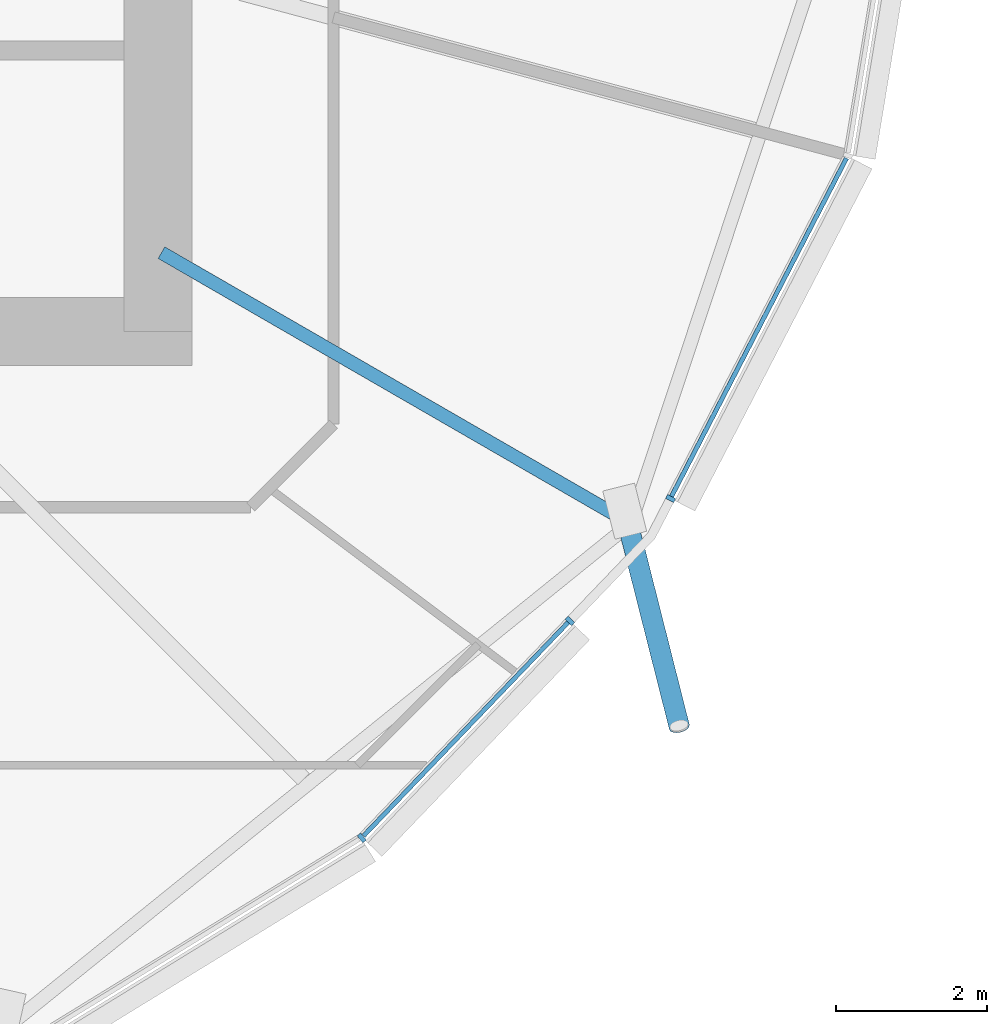
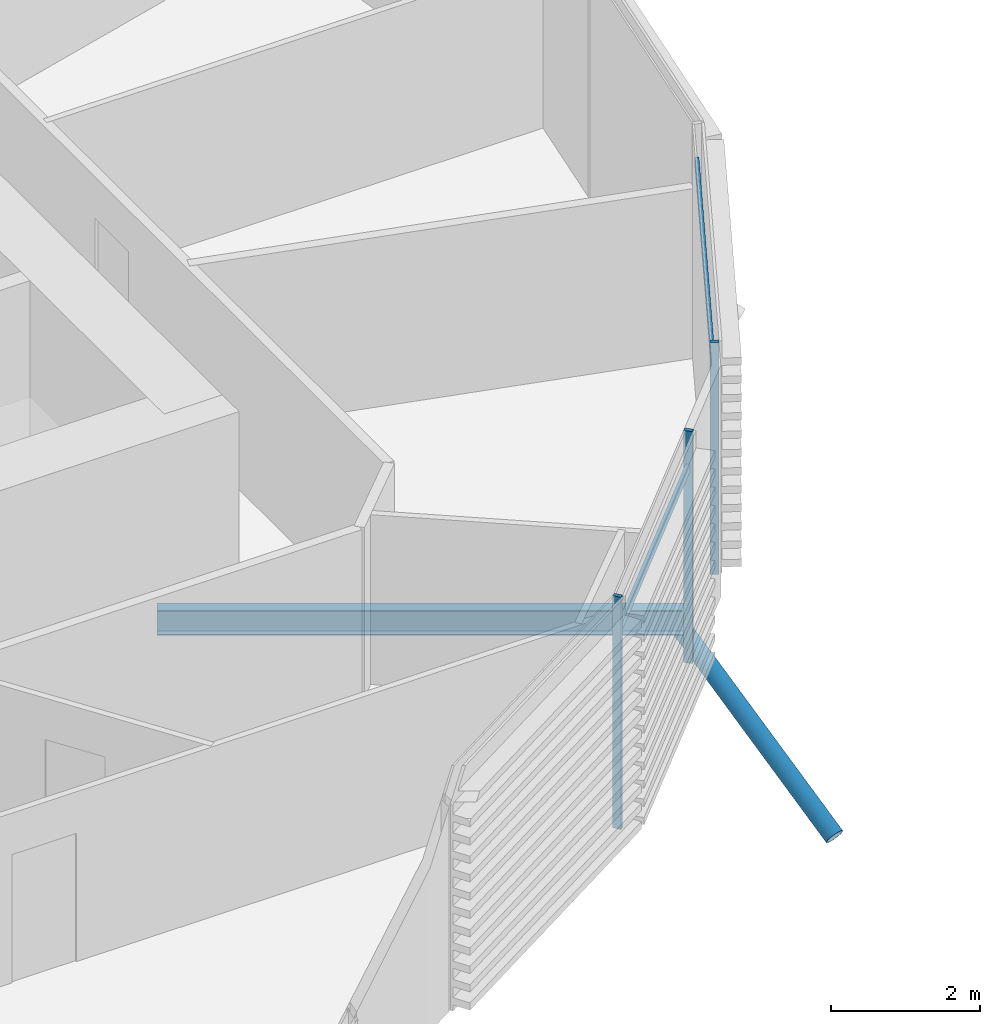
# One storey, part 6 of 36: 6 members, 1 beam, 1 element without a shape of its own.
"""IFC4 building model written with IfcOpenShell, lengths in metres."""

from ifc_helpers import new_model, si_unit, direction, frame, origin, origin_2d, place, context, subcontext, project, spatial, rectangle, hollow_circle, i_section, extrude, clip, halfspace, material, material_profile, profile_set, type_object, element, aggregate, save


model = new_model("IFC4")

# Units and contexts
model_context = context("Model", 3, precision=1e-05, world=origin(), true_north=direction((0.0, 1.0)))
body_context = subcontext(model_context, "Body", "Model", "MODEL_VIEW")
ifc_project = project(units=[si_unit("LENGTHUNIT", "METRE"), si_unit("AREAUNIT", "SQUARE_METRE"), si_unit("VOLUMEUNIT", "CUBIC_METRE"), si_unit("PLANEANGLEUNIT", "RADIAN"), si_unit("MASSUNIT", "GRAM", prefix="KILO")], contexts=[model_context])

# Site, building, storey
site_placement = place(None, origin())
site = spatial("IfcSite", under=ifc_project, at=site_placement, CompositionType="ELEMENT")
building_placement = place(site_placement, origin())
building = spatial("IfcBuilding", under=site, at=building_placement, Name="Rimbun Link Towers", CompositionType="ELEMENT")
storey_placement = place(building_placement, frame((0.0, 0.0, 37.60009765625)))
storey = spatial("IfcBuildingStorey", under=building, at=storey_placement, Name="L08", CompositionType="ELEMENT", Elevation=37.60009765625)

# Curtain wall, members
ifc_material_1 = material(Name="Aluminium 6063-T6 and low-iron glass", Category="aluminium")
curtain_wall_type = type_object("IfcCurtainWallType", Name="CW1 unitised vision wall", PredefinedType="NOTDEFINED", material=ifc_material_1)
curtain_wall_placement = place(storey_placement, origin())
curtain_wall = element("IfcCurtainWall", 1, at=curtain_wall_placement, inside=storey, type_object=curtain_wall_type, Name="CW1 L08 T1", PredefinedType="NOTDEFINED")
ifc_material_2 = material(Name="Aluminium 6063-T6", Category="aluminium")
ifc_material_profile_1 = material_profile(ifc_material_2, rectangle(XDim=0.1201171875, YDim=0.06005859375, at=origin_2d()), Name="MULLION 60X120")
ifc_profile_set_1 = profile_set([ifc_material_profile_1], Name="Aluminium 6063-T6")
member_type_1 = type_object("IfcMemberType", Name="CW1 mullion 60X120", PredefinedType="MULLION", material=ifc_profile_set_1)
member_1_placement = place(storey_placement, frame((-17.051513671875, -14.70751953125, 0.0), z_axis=(0.0, 0.0, 1.0), x_axis=(0.627666129139, -0.778482646134, 0.0)))
member_1 = element("IfcMember", 2, at=member_1_placement, type_object=member_type_1, Name="CW1 mullion", PredefinedType="MULLION", context=body_context, shape_type="SweptSolid", body=[
    extrude(rectangle(XDim=0.1201171875, YDim=0.06005859375, at=origin_2d()), origin(), (0.0, 0.0, 1.0), 3.7998046875),
])
member_2_placement = place(storey_placement, frame((-14.294677734375, -11.83251953125, 0.0), z_axis=(0.0, 0.0, 1.0), x_axis=(0.721844292424, -0.692055501744, 0.0)))
member_2 = element("IfcMember", 3, at=member_2_placement, type_object=member_type_1, Name="CW1 mullion", PredefinedType="MULLION", context=body_context, shape_type="SweptSolid", body=[
    extrude(rectangle(XDim=0.1201171875, YDim=0.06005859375, at=origin_2d()), origin(), (0.0, 0.0, 1.0), 3.7998046875),
])
member_3_placement = place(storey_placement, frame((-12.959228515625, -10.211181640625, 0.0), z_axis=(0.0, 0.0, 1.0), x_axis=(0.888152693678, -0.459548466118, 0.0)))
member_3 = element("IfcMember", 4, at=member_3_placement, type_object=member_type_1, Name="CW1 mullion", PredefinedType="MULLION", context=body_context, shape_type="SweptSolid", body=[
    extrude(rectangle(XDim=0.1201171875, YDim=0.06005859375, at=origin_2d()), origin(), (0.0, 0.0, 1.0), 3.7998046875),
])
ifc_material_3 = material(Name="Aluminium 6063-T6", Category="aluminium")
ifc_material_profile_2 = material_profile(ifc_material_3, rectangle(XDim=0.06005859375, YDim=0.1201171875, at=origin_2d()), Name="TRANSOM 60X120")
ifc_profile_set_2 = profile_set([ifc_material_profile_2], Name="Aluminium 6063-T6")
member_type_2 = type_object("IfcMemberType", Name="CW1 transom 60X120", PredefinedType="USERDEFINED", material=ifc_profile_set_2)
member_4_placement = place(storey_placement, frame((-14.31689453125, -11.852783203125, 3.199951171875), z_axis=(-0.692047546787, -0.721851919015, 0.0), x_axis=(0.721851919015, -0.692047546787, 0.0)))
member_4 = element("IfcMember", 5, at=member_4_placement, type_object=member_type_2, Name="CW1 transom", ObjectType="TRANSOM", PredefinedType="USERDEFINED", context=body_context, shape_type="SweptSolid", body=[
    extrude(rectangle(XDim=0.06005859375, YDim=0.1201171875, at=origin_2d()), origin(), (0.0, 0.0, 1.0), 3.91552734375),
])
member_5_placement = place(storey_placement, frame((-10.628662109375, -5.70263671875, 3.199951171875), z_axis=(-0.459538755132, -0.888157718275, 0.0), x_axis=(0.888157718275, -0.459538755132, 0.0)))
member_5 = element("IfcMember", 6, at=member_5_placement, type_object=member_type_2, Name="CW1 transom", ObjectType="TRANSOM", PredefinedType="USERDEFINED", context=body_context, shape_type="SweptSolid", body=[
    extrude(rectangle(XDim=0.06005859375, YDim=0.1201171875, at=origin_2d()), origin(), (0.0, 0.0, 1.0), 5.04541015625),
])
aggregate(curtain_wall, [member_1, member_2, member_3, member_4, member_5])

# Member
ifc_material_4 = material(Name="Steel S355J2H", Category="steel")
ifc_material_profile_3 = material_profile(ifc_material_4, hollow_circle(Radius=0.136474609375, WallThickness=0.012451171875, at=origin_2d()), Name="CHS 273x12.5")
ifc_profile_set_3 = profile_set([ifc_material_profile_3], Name="Steel S355J2H")
member_type_3 = type_object("IfcMemberType", Name="Floor edge link CHS 273x12.5", PredefinedType="BRACE", material=ifc_profile_set_3)
member_6_placement = place(storey_placement, frame((-13.531494140625, -10.5185546875, -0.680908203125), z_axis=(0.205112293505, -0.810900591773, -0.548059465127), x_axis=(0.969467266988, 0.245220754095, 0.0)))
element("IfcMember", 7, at=member_6_placement, inside=storey, type_object=member_type_3, Name="Floor edge link T1 L08 22", PredefinedType="BRACE", context=body_context, shape_type="Clipping", body=[
    clip(extrude(hollow_circle(Radius=0.136474609375, WallThickness=0.012451171875, at=origin_2d()), frame((0.0, 0.0, -0.434814453125)), (0.0, 0.0, 1.0), 3.784423828125), halfspace(frame((0.0, 0.0, -0.205078125), z_axis=(0.0, 0.836439371792, -0.548059465127)), False)),
])

# Beam
ifc_material_5 = material(Name="Steel S355J2", Category="steel")
ifc_material_profile_4 = material_profile(ifc_material_5, i_section(OverallWidth=0.177978515625, OverallDepth=0.406494140625, WebThickness=0.0078125, FlangeThickness=0.0126953125, at=origin_2d()), Name="UB 406x178x60")
ifc_profile_set_4 = profile_set([ifc_material_profile_4], Name="Steel S355J2")
beam_type = type_object("IfcBeamType", Name="UB 406x178x60", PredefinedType="BEAM", material=ifc_profile_set_4)
beam_placement = place(storey_placement, frame((-19.70458984375, -6.954345703125, -0.36328125), z_axis=(0.866026433283, -0.499998216852, 0.0), x_axis=(0.499998216852, 0.866026433283, 0.0)))
element("IfcBeam", 8, at=beam_placement, inside=storey, type_object=beam_type, Name="Radial beam T1 L08 22", PredefinedType="BEAM", context=body_context, shape_type="SweptSolid", body=[
    extrude(i_section(OverallWidth=0.177978515625, OverallDepth=0.406494140625, WebThickness=0.0078125, FlangeThickness=0.0126953125, at=origin_2d()), origin(), (0.0, 0.0, 1.0), 7.17822265625),
])

save(model, "model.ifc")
